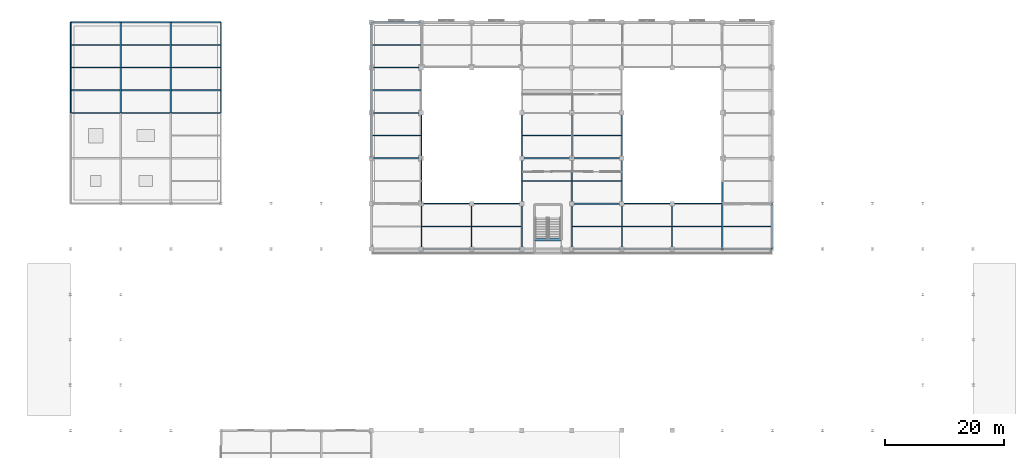
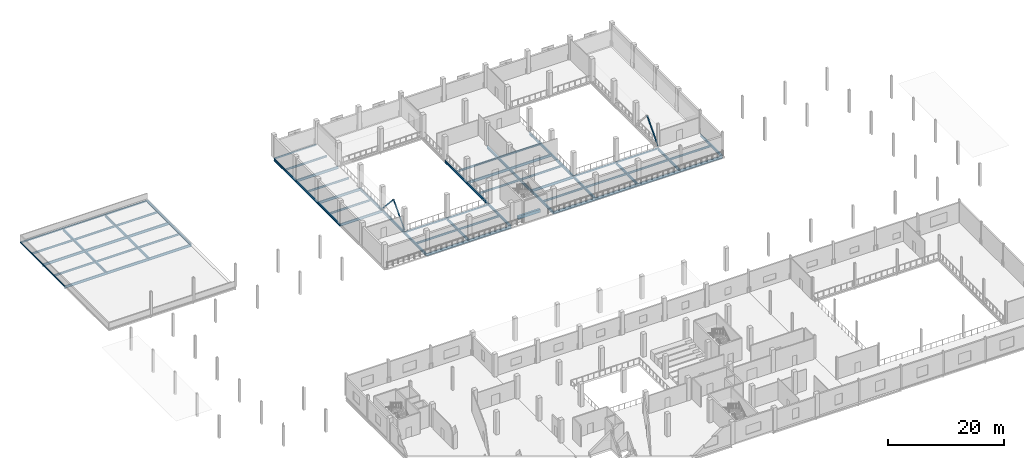
# One storey, part 18 of 51: 73 beams, 3 members.
"""IFC4 building model written with IfcOpenShell, lengths in metres."""

from ifc_helpers import new_model, si_unit, direction, frame, origin, origin_2d, place, context, subcontext, project, spatial, rectangle, hollow_rectangle, i_section, extrude, material, material_profile, profile_set, type_object, element, save


model = new_model("IFC4")

# Units and contexts
model_context = context("Model", 3, precision=1e-05, world=origin(), true_north=direction((0.0, 1.0)))
body_context = subcontext(model_context, "Body", "Model", "MODEL_VIEW")
ifc_project = project(units=[si_unit("LENGTHUNIT", "METRE"), si_unit("AREAUNIT", "SQUARE_METRE"), si_unit("VOLUMEUNIT", "CUBIC_METRE"), si_unit("PLANEANGLEUNIT", "RADIAN"), si_unit("MASSUNIT", "GRAM", prefix="KILO")], contexts=[model_context])

# Site, building, storey
site_placement = place(None, origin())
site = spatial("IfcSite", under=ifc_project, at=site_placement, CompositionType="ELEMENT")
building_placement = place(site_placement, origin())
building = spatial("IfcBuilding", under=site, at=building_placement, Name="Zuvorla Pavilion Media Centre", CompositionType="ELEMENT")
storey_placement = place(building_placement, frame((0.0, 0.0, 4.800048828125)))
storey = spatial("IfcBuildingStorey", under=building, at=storey_placement, Name="L01", CompositionType="ELEMENT", Elevation=4.800048828125)

# Beams
ifc_material_1 = material(Name="Concrete C40/50", Category="concrete")
ifc_material_profile_1 = material_profile(ifc_material_1, rectangle(XDim=0.39990234375, YDim=0.64990234375, at=origin_2d()), Name="RC 400x650")
ifc_profile_set_1 = profile_set([ifc_material_profile_1], Name="Concrete C40/50")
beam_type_1 = type_object("IfcBeamType", Name="BM-RC-650", PredefinedType="BEAM", material=ifc_profile_set_1)
beam_1_placement = place(storey_placement, frame((94.179931640625, 83.570068359375, -0.323974609375), z_axis=(1.0, 0.0, 0.0), x_axis=(0.0, 1.0, 0.0)))
element("IfcBeam", 1, at=beam_1_placement, inside=storey, type_object=beam_type_1, Name="L01 ST-05 landing trimmer beam", PredefinedType="BEAM", context=body_context, shape_type="SweptSolid", body=[
    extrude(rectangle(XDim=0.39990234375, YDim=0.64990234375, at=origin_2d()), origin(), (0.0, 0.0, 1.0), 4.440185546875),
])
ifc_material_2 = material(Name="Steel S355", Category="steel")
ifc_material_profile_2 = material_profile(ifc_material_2, hollow_rectangle(XDim=0.14990234375, YDim=0.25, WallThickness=0.010009765625, at=origin_2d()), Name="RHS 250x150x10")
ifc_profile_set_2 = profile_set([ifc_material_profile_2], Name="Steel S355")
beam_type_2 = type_object("IfcBeamType", Name="BM-SP-RHS250", PredefinedType="SPANDREL", material=ifc_profile_set_2)
beam_2_placement = place(storey_placement, frame((16.39990234375, 104.800048828125, -0.4130859375), z_axis=(0.0, 1.0, 0.0), x_axis=(-1.0, 0.0, 0.0)))
element("IfcBeam", 2, at=beam_2_placement, inside=storey, type_object=beam_type_2, Name="L01 spandrel SP02 575", PredefinedType="SPANDREL", context=body_context, shape_type="SweptSolid", body=[
    extrude(hollow_rectangle(XDim=0.14990234375, YDim=0.25, WallThickness=0.010009765625, at=origin_2d()), origin(), (0.0, 0.0, 1.0), 7.599853515625),
])
beam_3_placement = place(storey_placement, frame((16.39990234375, 112.39990234375, -0.4130859375), z_axis=(0.0, 1.0, 0.0), x_axis=(-1.0, 0.0, 0.0)))
element("IfcBeam", 3, at=beam_3_placement, inside=storey, type_object=beam_type_2, Name="L01 spandrel SP02 576", PredefinedType="SPANDREL", context=body_context, shape_type="SweptSolid", body=[
    extrude(hollow_rectangle(XDim=0.14990234375, YDim=0.25, WallThickness=0.010009765625, at=origin_2d()), origin(), (0.0, 0.0, 1.0), 7.60009765625),
])
ifc_material_profile_3 = material_profile(ifc_material_2, hollow_rectangle(XDim=0.199951171875, YDim=0.300048828125, WallThickness=0.012451171875, at=origin_2d()), Name="RHS 300x200x12.5")
ifc_profile_set_3 = profile_set([ifc_material_profile_3], Name="Steel S355")
beam_type_3 = type_object("IfcBeamType", Name="BM-SP-RHS300", PredefinedType="SPANDREL", material=ifc_profile_set_3)
beam_4_placement = place(storey_placement, frame((75.199951171875, 89.60009765625, -0.43798828125), z_axis=(1.0, 0.0, 0.0), x_axis=(0.0, 1.0, 0.0)))
element("IfcBeam", 4, at=beam_4_placement, inside=storey, type_object=beam_type_3, Name="L01 spandrel SP01 527", PredefinedType="SPANDREL", context=body_context, shape_type="SweptSolid", body=[
    extrude(hollow_rectangle(XDim=0.199951171875, YDim=0.300048828125, WallThickness=0.012451171875, at=origin_2d()), origin(), (0.0, 0.0, 1.0), 8.400146484375),
])
for number, where, z_axis, x_axis, name in (
    (5, (83.60009765625, 89.60009765625, -0.43798828125), (1.0, 0.0, 0.0), (0.0, 1.0, 0.0), "L01 spandrel SP01 528"),
    (6, (108.800048828125, 89.60009765625, -0.43798828125), (1.0, 0.0, 0.0), (0.0, 1.0, 0.0), "L01 spandrel SP01 530"),
):
    element("IfcBeam", number, at=place(storey_placement, frame(where, z_axis=z_axis, x_axis=x_axis)), inside=storey, type_object=beam_type_3, Name=name, PredefinedType="SPANDREL", context=body_context, shape_type="SweptSolid", body=[
        extrude(hollow_rectangle(XDim=0.199951171875, YDim=0.300048828125, WallThickness=0.012451171875, at=origin_2d()), origin(), (0.0, 0.0, 1.0), 8.39990234375),
    ])
for number, where, z_axis, x_axis, name in (
    (7, (117.199951171875, 89.60009765625, -0.43798828125), (1.0, 0.0, 0.0), (0.0, 1.0, 0.0), "L01 spandrel SP01 531"),
    (8, (16.39990234375, 120.0, -0.43798828125), (1.0, 0.0, 0.0), (0.0, 1.0, 0.0), "L01 spandrel SP01 558"),
):
    element("IfcBeam", number, at=place(storey_placement, frame(where, z_axis=z_axis, x_axis=x_axis)), inside=storey, type_object=beam_type_3, Name=name, PredefinedType="SPANDREL", context=body_context, shape_type="SweptSolid", body=[
        extrude(hollow_rectangle(XDim=0.199951171875, YDim=0.300048828125, WallThickness=0.012451171875, at=origin_2d()), origin(), (0.0, 0.0, 1.0), 8.400146484375),
    ])
beam_5_placement = place(storey_placement, frame((24.800048828125, 120.0, -0.43798828125), z_axis=(1.0, 0.0, 0.0), x_axis=(0.0, 1.0, 0.0)))
element("IfcBeam", 9, at=beam_5_placement, inside=storey, type_object=beam_type_3, Name="L01 spandrel SP01 559", PredefinedType="SPANDREL", context=body_context, shape_type="SweptSolid", body=[
    extrude(hollow_rectangle(XDim=0.199951171875, YDim=0.300048828125, WallThickness=0.012451171875, at=origin_2d()), origin(), (0.0, 0.0, 1.0), 8.39990234375),
])
beam_6_placement = place(storey_placement, frame((33.199951171875, 120.0, -0.43798828125), z_axis=(1.0, 0.0, 0.0), x_axis=(0.0, 1.0, 0.0)))
element("IfcBeam", 10, at=beam_6_placement, inside=storey, type_object=beam_type_3, Name="L01 spandrel SP01 560", PredefinedType="SPANDREL", context=body_context, shape_type="SweptSolid", body=[
    extrude(hollow_rectangle(XDim=0.199951171875, YDim=0.300048828125, WallThickness=0.012451171875, at=origin_2d()), origin(), (0.0, 0.0, 1.0), 8.400146484375),
])
beam_7_placement = place(storey_placement, frame((66.800048828125, 120.0, -0.43798828125), z_axis=(1.0, 0.0, 0.0), x_axis=(0.0, 1.0, 0.0)))
element("IfcBeam", 11, at=beam_7_placement, inside=storey, type_object=beam_type_3, Name="L01 spandrel SP01 561", PredefinedType="SPANDREL", context=body_context, shape_type="SweptSolid", body=[
    extrude(hollow_rectangle(XDim=0.199951171875, YDim=0.300048828125, WallThickness=0.012451171875, at=origin_2d()), origin(), (0.0, 0.0, 1.0), 8.39990234375),
])
ifc_material_profile_4 = material_profile(ifc_material_2, i_section(OverallWidth=0.1787109375, OverallDepth=0.409423828125, WebThickness=0.0087890625, FlangeThickness=0.014404296875, FilletRadius=0.01025390625, at=origin_2d()), Name="UB 406x178x67")
ifc_profile_set_4 = profile_set([ifc_material_profile_4], Name="Steel S355")
beam_type_4 = type_object("IfcBeamType", Name="BM-UB406", PredefinedType="JOIST", material=ifc_profile_set_4)
for number, where, z_axis, x_axis, name in (
    (12, (16.47998046875, 108.60009765625, -0.49267578125), (1.0, 0.0, 0.0), (0.0, 1.0, 0.0), "L01 joist J02 703"),
    (13, (16.47998046875, 116.199951171875, -0.49267578125), (1.0, 0.0, 0.0), (0.0, 1.0, 0.0), "L01 joist J02 704"),
):
    element("IfcBeam", number, at=place(storey_placement, frame(where, z_axis=z_axis, x_axis=x_axis)), inside=storey, type_object=beam_type_4, Name=name, PredefinedType="JOIST", context=body_context, shape_type="SweptSolid", body=[
        extrude(i_section(OverallWidth=0.1787109375, OverallDepth=0.409423828125, WebThickness=0.0087890625, FlangeThickness=0.014404296875, FilletRadius=0.01025390625, at=origin_2d()), origin(), (0.0, 0.0, 1.0), 8.219970703125),
    ])
for number, where, z_axis, x_axis, name in (
    (14, (24.89990234375, 108.60009765625, -0.49267578125), (1.0, 0.0, 0.0), (0.0, 1.0, 0.0), "L01 joist J02 705"),
    (15, (24.89990234375, 116.199951171875, -0.49267578125), (1.0, 0.0, 0.0), (0.0, 1.0, 0.0), "L01 joist J02 706"),
):
    element("IfcBeam", number, at=place(storey_placement, frame(where, z_axis=z_axis, x_axis=x_axis)), inside=storey, type_object=beam_type_4, Name=name, PredefinedType="JOIST", context=body_context, shape_type="SweptSolid", body=[
        extrude(i_section(OverallWidth=0.1787109375, OverallDepth=0.409423828125, WebThickness=0.0087890625, FlangeThickness=0.014404296875, FilletRadius=0.01025390625, at=origin_2d()), origin(), (0.0, 0.0, 1.0), 8.2001953125),
    ])
for number, where, z_axis, x_axis, name in (
    (16, (33.300048828125, 108.60009765625, -0.49267578125), (1.0, 0.0, 0.0), (0.0, 1.0, 0.0), "L01 joist J02 710"),
    (17, (33.300048828125, 116.199951171875, -0.49267578125), (1.0, 0.0, 0.0), (0.0, 1.0, 0.0), "L01 joist J02 711"),
):
    element("IfcBeam", number, at=place(storey_placement, frame(where, z_axis=z_axis, x_axis=x_axis)), inside=storey, type_object=beam_type_4, Name=name, PredefinedType="JOIST", context=body_context, shape_type="SweptSolid", body=[
        extrude(i_section(OverallWidth=0.1787109375, OverallDepth=0.409423828125, WebThickness=0.0087890625, FlangeThickness=0.014404296875, FilletRadius=0.01025390625, at=origin_2d()), origin(), (0.0, 0.0, 1.0), 8.199951171875),
    ])
for number, where, z_axis, x_axis, name in (
    (18, (66.89990234375, 101.0, -0.49267578125), (1.0, 0.0, 0.0), (0.0, 1.0, 0.0), "L01 joist J02 729"),
    (19, (66.89990234375, 108.60009765625, -0.49267578125), (1.0, 0.0, 0.0), (0.0, 1.0, 0.0), "L01 joist J02 730"),
    (20, (66.89990234375, 116.199951171875, -0.49267578125), (1.0, 0.0, 0.0), (0.0, 1.0, 0.0), "L01 joist J02 731"),
):
    element("IfcBeam", number, at=place(storey_placement, frame(where, z_axis=z_axis, x_axis=x_axis)), inside=storey, type_object=beam_type_4, Name=name, PredefinedType="JOIST", context=body_context, shape_type="SweptSolid", body=[
        extrude(i_section(OverallWidth=0.1787109375, OverallDepth=0.409423828125, WebThickness=0.0087890625, FlangeThickness=0.014404296875, FilletRadius=0.01025390625, at=origin_2d()), origin(), (0.0, 0.0, 1.0), 8.2001953125),
    ])
for number, where, z_axis, x_axis, name in (
    (21, (75.300048828125, 85.800048828125, -0.49267578125), (1.0, 0.0, 0.0), (0.0, 1.0, 0.0), "L01 joist J02 733"),
    (22, (83.699951171875, 85.800048828125, -0.49267578125), (1.0, 0.0, 0.0), (0.0, 1.0, 0.0), "L01 joist J02 738"),
    (23, (92.10009765625, 93.39990234375, -0.49267578125), (1.0, 0.0, 0.0), (0.0, 1.0, 0.0), "L01 joist J02 743"),
    (24, (92.10009765625, 101.0, -0.49267578125), (1.0, 0.0, 0.0), (0.0, 1.0, 0.0), "L01 joist J02 744"),
    (25, (100.5, 85.800048828125, -0.49267578125), (1.0, 0.0, 0.0), (0.0, 1.0, 0.0), "L01 joist J02 751"),
    (26, (100.5, 93.39990234375, -0.49267578125), (1.0, 0.0, 0.0), (0.0, 1.0, 0.0), "L01 joist J02 752"),
    (27, (100.5, 101.0, -0.49267578125), (1.0, 0.0, 0.0), (0.0, 1.0, 0.0), "L01 joist J02 753"),
):
    element("IfcBeam", number, at=place(storey_placement, frame(where, z_axis=z_axis, x_axis=x_axis)), inside=storey, type_object=beam_type_4, Name=name, PredefinedType="JOIST", context=body_context, shape_type="SweptSolid", body=[
        extrude(i_section(OverallWidth=0.1787109375, OverallDepth=0.409423828125, WebThickness=0.0087890625, FlangeThickness=0.014404296875, FilletRadius=0.01025390625, at=origin_2d()), origin(), (0.0, 0.0, 1.0), 8.199951171875),
    ])
beam_8_placement = place(storey_placement, frame((108.89990234375, 85.800048828125, -0.49267578125), z_axis=(1.0, 0.0, 0.0), x_axis=(0.0, 1.0, 0.0)))
element("IfcBeam", 28, at=beam_8_placement, inside=storey, type_object=beam_type_4, Name="L01 joist J02 761", PredefinedType="JOIST", context=body_context, shape_type="SweptSolid", body=[
    extrude(i_section(OverallWidth=0.1787109375, OverallDepth=0.409423828125, WebThickness=0.0087890625, FlangeThickness=0.014404296875, FilletRadius=0.01025390625, at=origin_2d()), origin(), (0.0, 0.0, 1.0), 8.2001953125),
])
for number, where, z_axis, x_axis, name in (
    (29, (117.300048828125, 85.800048828125, -0.49267578125), (1.0, 0.0, 0.0), (0.0, 1.0, 0.0), "L01 joist J02 768"),
    (30, (125.699951171875, 85.800048828125, -0.49267578125), (1.0, 0.0, 0.0), (0.0, 1.0, 0.0), "L01 joist J02 772"),
):
    element("IfcBeam", number, at=place(storey_placement, frame(where, z_axis=z_axis, x_axis=x_axis)), inside=storey, type_object=beam_type_4, Name=name, PredefinedType="JOIST", context=body_context, shape_type="SweptSolid", body=[
        extrude(i_section(OverallWidth=0.1787109375, OverallDepth=0.409423828125, WebThickness=0.0087890625, FlangeThickness=0.014404296875, FilletRadius=0.01025390625, at=origin_2d()), origin(), (0.0, 0.0, 1.0), 8.199951171875),
    ])
ifc_material_profile_5 = material_profile(ifc_material_2, i_section(OverallWidth=0.2099609375, OverallDepth=0.53662109375, WebThickness=0.0107421875, FlangeThickness=0.017333984375, FilletRadius=0.0126953125, at=origin_2d()), Name="UB 533x210x101")
ifc_profile_set_5 = profile_set([ifc_material_profile_5], Name="Steel S355")
beam_type_5 = type_object("IfcBeamType", Name="BM-UB533", PredefinedType="BEAM", material=ifc_profile_set_5)
beam_9_placement = place(storey_placement, frame((75.199951171875, 82.0, -0.556396484375), z_axis=(1.0, 0.0, 0.0), x_axis=(0.0, 1.0, 0.0)))
element("IfcBeam", 31, at=beam_9_placement, inside=storey, type_object=beam_type_5, Name="L01 beam B08 517", PredefinedType="BEAM", context=body_context, shape_type="SweptSolid", body=[
    extrude(i_section(OverallWidth=0.2099609375, OverallDepth=0.53662109375, WebThickness=0.0107421875, FlangeThickness=0.017333984375, FilletRadius=0.0126953125, at=origin_2d()), origin(), (0.0, 0.0, 1.0), 8.400146484375),
])
beam_10_placement = place(storey_placement, frame((83.60009765625, 82.0, -0.556396484375), z_axis=(1.0, 0.0, 0.0), x_axis=(0.0, 1.0, 0.0)))
element("IfcBeam", 32, at=beam_10_placement, inside=storey, type_object=beam_type_5, Name="L01 beam B08 518", PredefinedType="BEAM", context=body_context, shape_type="SweptSolid", body=[
    extrude(i_section(OverallWidth=0.2099609375, OverallDepth=0.53662109375, WebThickness=0.0107421875, FlangeThickness=0.017333984375, FilletRadius=0.0126953125, at=origin_2d()), origin(), (0.0, 0.0, 1.0), 8.39990234375),
])
beam_11_placement = place(storey_placement, frame((100.39990234375, 82.0, -0.556396484375), z_axis=(1.0, 0.0, 0.0), x_axis=(0.0, 1.0, 0.0)))
element("IfcBeam", 33, at=beam_11_placement, inside=storey, type_object=beam_type_5, Name="L01 beam B08 519", PredefinedType="BEAM", context=body_context, shape_type="SweptSolid", body=[
    extrude(i_section(OverallWidth=0.2099609375, OverallDepth=0.53662109375, WebThickness=0.0107421875, FlangeThickness=0.017333984375, FilletRadius=0.0126953125, at=origin_2d()), origin(), (0.0, 0.0, 1.0), 8.400146484375),
])
beam_12_placement = place(storey_placement, frame((108.800048828125, 82.0, -0.556396484375), z_axis=(1.0, 0.0, 0.0), x_axis=(0.0, 1.0, 0.0)))
element("IfcBeam", 34, at=beam_12_placement, inside=storey, type_object=beam_type_5, Name="L01 beam B08 520", PredefinedType="BEAM", context=body_context, shape_type="SweptSolid", body=[
    extrude(i_section(OverallWidth=0.2099609375, OverallDepth=0.53662109375, WebThickness=0.0107421875, FlangeThickness=0.017333984375, FilletRadius=0.0126953125, at=origin_2d()), origin(), (0.0, 0.0, 1.0), 8.39990234375),
])
beam_13_placement = place(storey_placement, frame((117.199951171875, 82.0, -0.556396484375), z_axis=(1.0, 0.0, 0.0), x_axis=(0.0, 1.0, 0.0)))
element("IfcBeam", 35, at=beam_13_placement, inside=storey, type_object=beam_type_5, Name="L01 beam B08 521", PredefinedType="BEAM", context=body_context, shape_type="SweptSolid", body=[
    extrude(i_section(OverallWidth=0.2099609375, OverallDepth=0.53662109375, WebThickness=0.0107421875, FlangeThickness=0.017333984375, FilletRadius=0.0126953125, at=origin_2d()), origin(), (0.0, 0.0, 1.0), 8.400146484375),
])
beam_14_placement = place(storey_placement, frame((125.60009765625, 82.0, -0.556396484375), z_axis=(1.0, 0.0, 0.0), x_axis=(0.0, 1.0, 0.0)))
element("IfcBeam", 36, at=beam_14_placement, inside=storey, type_object=beam_type_5, Name="L01 beam B08 522", PredefinedType="BEAM", context=body_context, shape_type="SweptSolid", body=[
    extrude(i_section(OverallWidth=0.2099609375, OverallDepth=0.53662109375, WebThickness=0.0107421875, FlangeThickness=0.017333984375, FilletRadius=0.0126953125, at=origin_2d()), origin(), (0.0, 0.0, 1.0), 8.39990234375),
])
beam_15_placement = place(storey_placement, frame((100.39990234375, 89.60009765625, -0.556396484375), z_axis=(1.0, 0.0, 0.0), x_axis=(0.0, 1.0, 0.0)))
element("IfcBeam", 37, at=beam_15_placement, inside=storey, type_object=beam_type_5, Name="L01 beam B08 529", PredefinedType="BEAM", context=body_context, shape_type="SweptSolid", body=[
    extrude(i_section(OverallWidth=0.2099609375, OverallDepth=0.53662109375, WebThickness=0.0107421875, FlangeThickness=0.017333984375, FilletRadius=0.0126953125, at=origin_2d()), origin(), (0.0, 0.0, 1.0), 8.400146484375),
])
for number, where, z_axis, x_axis, name in (
    (38, (66.800048828125, 97.199951171875, -0.556396484375), (1.0, 0.0, 0.0), (0.0, 1.0, 0.0), "L01 beam B08 536"),
    (39, (92.0, 97.199951171875, -0.556396484375), (1.0, 0.0, 0.0), (0.0, 1.0, 0.0), "L01 beam B08 537"),
):
    element("IfcBeam", number, at=place(storey_placement, frame(where, z_axis=z_axis, x_axis=x_axis)), inside=storey, type_object=beam_type_5, Name=name, PredefinedType="BEAM", context=body_context, shape_type="SweptSolid", body=[
        extrude(i_section(OverallWidth=0.2099609375, OverallDepth=0.53662109375, WebThickness=0.0107421875, FlangeThickness=0.017333984375, FilletRadius=0.0126953125, at=origin_2d()), origin(), (0.0, 0.0, 1.0), 8.39990234375),
    ])
for number, where, z_axis, x_axis, name in (
    (40, (100.39990234375, 97.199951171875, -0.556396484375), (1.0, 0.0, 0.0), (0.0, 1.0, 0.0), "L01 beam B08 538"),
    (41, (16.39990234375, 104.800048828125, -0.556396484375), (1.0, 0.0, 0.0), (0.0, 1.0, 0.0), "L01 beam B08 540"),
):
    element("IfcBeam", number, at=place(storey_placement, frame(where, z_axis=z_axis, x_axis=x_axis)), inside=storey, type_object=beam_type_5, Name=name, PredefinedType="BEAM", context=body_context, shape_type="SweptSolid", body=[
        extrude(i_section(OverallWidth=0.2099609375, OverallDepth=0.53662109375, WebThickness=0.0107421875, FlangeThickness=0.017333984375, FilletRadius=0.0126953125, at=origin_2d()), origin(), (0.0, 0.0, 1.0), 8.400146484375),
    ])
beam_16_placement = place(storey_placement, frame((24.800048828125, 104.800048828125, -0.556396484375), z_axis=(1.0, 0.0, 0.0), x_axis=(0.0, 1.0, 0.0)))
element("IfcBeam", 42, at=beam_16_placement, inside=storey, type_object=beam_type_5, Name="L01 beam B08 541", PredefinedType="BEAM", context=body_context, shape_type="SweptSolid", body=[
    extrude(i_section(OverallWidth=0.2099609375, OverallDepth=0.53662109375, WebThickness=0.0107421875, FlangeThickness=0.017333984375, FilletRadius=0.0126953125, at=origin_2d()), origin(), (0.0, 0.0, 1.0), 8.39990234375),
])
beam_17_placement = place(storey_placement, frame((33.199951171875, 104.800048828125, -0.556396484375), z_axis=(1.0, 0.0, 0.0), x_axis=(0.0, 1.0, 0.0)))
element("IfcBeam", 43, at=beam_17_placement, inside=storey, type_object=beam_type_5, Name="L01 beam B08 542", PredefinedType="BEAM", context=body_context, shape_type="SweptSolid", body=[
    extrude(i_section(OverallWidth=0.2099609375, OverallDepth=0.53662109375, WebThickness=0.0107421875, FlangeThickness=0.017333984375, FilletRadius=0.0126953125, at=origin_2d()), origin(), (0.0, 0.0, 1.0), 8.400146484375),
])
beam_18_placement = place(storey_placement, frame((66.800048828125, 104.800048828125, -0.556396484375), z_axis=(1.0, 0.0, 0.0), x_axis=(0.0, 1.0, 0.0)))
element("IfcBeam", 44, at=beam_18_placement, inside=storey, type_object=beam_type_5, Name="L01 beam B08 543", PredefinedType="BEAM", context=body_context, shape_type="SweptSolid", body=[
    extrude(i_section(OverallWidth=0.2099609375, OverallDepth=0.53662109375, WebThickness=0.0107421875, FlangeThickness=0.017333984375, FilletRadius=0.0126953125, at=origin_2d()), origin(), (0.0, 0.0, 1.0), 8.39990234375),
])
beam_19_placement = place(storey_placement, frame((16.39990234375, 112.39990234375, -0.556396484375), z_axis=(1.0, 0.0, 0.0), x_axis=(0.0, 1.0, 0.0)))
element("IfcBeam", 45, at=beam_19_placement, inside=storey, type_object=beam_type_5, Name="L01 beam B08 547", PredefinedType="BEAM", context=body_context, shape_type="SweptSolid", body=[
    extrude(i_section(OverallWidth=0.2099609375, OverallDepth=0.53662109375, WebThickness=0.0107421875, FlangeThickness=0.017333984375, FilletRadius=0.0126953125, at=origin_2d()), origin(), (0.0, 0.0, 1.0), 8.400146484375),
])
beam_20_placement = place(storey_placement, frame((24.800048828125, 112.39990234375, -0.556396484375), z_axis=(1.0, 0.0, 0.0), x_axis=(0.0, 1.0, 0.0)))
element("IfcBeam", 46, at=beam_20_placement, inside=storey, type_object=beam_type_5, Name="L01 beam B08 548", PredefinedType="BEAM", context=body_context, shape_type="SweptSolid", body=[
    extrude(i_section(OverallWidth=0.2099609375, OverallDepth=0.53662109375, WebThickness=0.0107421875, FlangeThickness=0.017333984375, FilletRadius=0.0126953125, at=origin_2d()), origin(), (0.0, 0.0, 1.0), 8.39990234375),
])
beam_21_placement = place(storey_placement, frame((33.199951171875, 112.39990234375, -0.556396484375), z_axis=(1.0, 0.0, 0.0), x_axis=(0.0, 1.0, 0.0)))
element("IfcBeam", 47, at=beam_21_placement, inside=storey, type_object=beam_type_5, Name="L01 beam B08 549", PredefinedType="BEAM", context=body_context, shape_type="SweptSolid", body=[
    extrude(i_section(OverallWidth=0.2099609375, OverallDepth=0.53662109375, WebThickness=0.0107421875, FlangeThickness=0.017333984375, FilletRadius=0.0126953125, at=origin_2d()), origin(), (0.0, 0.0, 1.0), 8.400146484375),
])
beam_22_placement = place(storey_placement, frame((66.800048828125, 112.39990234375, -0.556396484375), z_axis=(1.0, 0.0, 0.0), x_axis=(0.0, 1.0, 0.0)))
element("IfcBeam", 48, at=beam_22_placement, inside=storey, type_object=beam_type_5, Name="L01 beam B08 550", PredefinedType="BEAM", context=body_context, shape_type="SweptSolid", body=[
    extrude(i_section(OverallWidth=0.2099609375, OverallDepth=0.53662109375, WebThickness=0.0107421875, FlangeThickness=0.017333984375, FilletRadius=0.0126953125, at=origin_2d()), origin(), (0.0, 0.0, 1.0), 8.39990234375),
])
beam_23_placement = place(storey_placement, frame((24.800048828125, 104.800048828125, -0.556396484375), z_axis=(0.0, 1.0, 0.0), x_axis=(-1.0, 0.0, 0.0)))
element("IfcBeam", 49, at=beam_23_placement, inside=storey, type_object=beam_type_5, Name="L01 beam B08 579", PredefinedType="BEAM", context=body_context, shape_type="SweptSolid", body=[
    extrude(i_section(OverallWidth=0.2099609375, OverallDepth=0.53662109375, WebThickness=0.0107421875, FlangeThickness=0.017333984375, FilletRadius=0.0126953125, at=origin_2d()), origin(), (0.0, 0.0, 1.0), 7.599853515625),
])
beam_24_placement = place(storey_placement, frame((24.800048828125, 112.39990234375, -0.556396484375), z_axis=(0.0, 1.0, 0.0), x_axis=(-1.0, 0.0, 0.0)))
element("IfcBeam", 50, at=beam_24_placement, inside=storey, type_object=beam_type_5, Name="L01 beam B08 580", PredefinedType="BEAM", context=body_context, shape_type="SweptSolid", body=[
    extrude(i_section(OverallWidth=0.2099609375, OverallDepth=0.53662109375, WebThickness=0.0107421875, FlangeThickness=0.017333984375, FilletRadius=0.0126953125, at=origin_2d()), origin(), (0.0, 0.0, 1.0), 7.60009765625),
])
beam_25_placement = place(storey_placement, frame((33.199951171875, 104.800048828125, -0.556396484375), z_axis=(0.0, 1.0, 0.0), x_axis=(-1.0, 0.0, 0.0)))
element("IfcBeam", 51, at=beam_25_placement, inside=storey, type_object=beam_type_5, Name="L01 beam B08 586", PredefinedType="BEAM", context=body_context, shape_type="SweptSolid", body=[
    extrude(i_section(OverallWidth=0.2099609375, OverallDepth=0.53662109375, WebThickness=0.0107421875, FlangeThickness=0.017333984375, FilletRadius=0.0126953125, at=origin_2d()), origin(), (0.0, 0.0, 1.0), 7.599853515625),
])
beam_26_placement = place(storey_placement, frame((33.199951171875, 112.39990234375, -0.556396484375), z_axis=(0.0, 1.0, 0.0), x_axis=(-1.0, 0.0, 0.0)))
element("IfcBeam", 52, at=beam_26_placement, inside=storey, type_object=beam_type_5, Name="L01 beam B08 587", PredefinedType="BEAM", context=body_context, shape_type="SweptSolid", body=[
    extrude(i_section(OverallWidth=0.2099609375, OverallDepth=0.53662109375, WebThickness=0.0107421875, FlangeThickness=0.017333984375, FilletRadius=0.0126953125, at=origin_2d()), origin(), (0.0, 0.0, 1.0), 7.60009765625),
])
beam_27_placement = place(storey_placement, frame((41.60009765625, 104.800048828125, -0.556396484375), z_axis=(0.0, 1.0, 0.0), x_axis=(-1.0, 0.0, 0.0)))
element("IfcBeam", 53, at=beam_27_placement, inside=storey, type_object=beam_type_5, Name="L01 beam B08 596", PredefinedType="BEAM", context=body_context, shape_type="SweptSolid", body=[
    extrude(i_section(OverallWidth=0.2099609375, OverallDepth=0.53662109375, WebThickness=0.0107421875, FlangeThickness=0.017333984375, FilletRadius=0.0126953125, at=origin_2d()), origin(), (0.0, 0.0, 1.0), 7.599853515625),
])
for number, where, z_axis, x_axis, name in (
    (54, (41.60009765625, 112.39990234375, -0.556396484375), (0.0, 1.0, 0.0), (-1.0, 0.0, 0.0), "L01 beam B08 597"),
    (55, (66.800048828125, 97.199951171875, -0.556396484375), (0.0, 1.0, 0.0), (-1.0, 0.0, 0.0), "L01 beam B08 616"),
):
    element("IfcBeam", number, at=place(storey_placement, frame(where, z_axis=z_axis, x_axis=x_axis)), inside=storey, type_object=beam_type_5, Name=name, PredefinedType="BEAM", context=body_context, shape_type="SweptSolid", body=[
        extrude(i_section(OverallWidth=0.2099609375, OverallDepth=0.53662109375, WebThickness=0.0107421875, FlangeThickness=0.017333984375, FilletRadius=0.0126953125, at=origin_2d()), origin(), (0.0, 0.0, 1.0), 7.60009765625),
    ])
beam_28_placement = place(storey_placement, frame((66.800048828125, 104.800048828125, -0.556396484375), z_axis=(0.0, 1.0, 0.0), x_axis=(-1.0, 0.0, 0.0)))
element("IfcBeam", 56, at=beam_28_placement, inside=storey, type_object=beam_type_5, Name="L01 beam B08 617", PredefinedType="BEAM", context=body_context, shape_type="SweptSolid", body=[
    extrude(i_section(OverallWidth=0.2099609375, OverallDepth=0.53662109375, WebThickness=0.0107421875, FlangeThickness=0.017333984375, FilletRadius=0.0126953125, at=origin_2d()), origin(), (0.0, 0.0, 1.0), 7.599853515625),
])
for number, where, z_axis, x_axis, name in (
    (57, (66.800048828125, 112.39990234375, -0.556396484375), (0.0, 1.0, 0.0), (-1.0, 0.0, 0.0), "L01 beam B08 618"),
    (58, (75.199951171875, 82.0, -0.556396484375), (0.0, 1.0, 0.0), (-1.0, 0.0, 0.0), "L01 beam B08 621"),
):
    element("IfcBeam", number, at=place(storey_placement, frame(where, z_axis=z_axis, x_axis=x_axis)), inside=storey, type_object=beam_type_5, Name=name, PredefinedType="BEAM", context=body_context, shape_type="SweptSolid", body=[
        extrude(i_section(OverallWidth=0.2099609375, OverallDepth=0.53662109375, WebThickness=0.0107421875, FlangeThickness=0.017333984375, FilletRadius=0.0126953125, at=origin_2d()), origin(), (0.0, 0.0, 1.0), 7.60009765625),
    ])
beam_29_placement = place(storey_placement, frame((75.199951171875, 89.60009765625, -0.556396484375), z_axis=(0.0, 1.0, 0.0), x_axis=(-1.0, 0.0, 0.0)))
element("IfcBeam", 59, at=beam_29_placement, inside=storey, type_object=beam_type_5, Name="L01 beam B08 622", PredefinedType="BEAM", context=body_context, shape_type="SweptSolid", body=[
    extrude(i_section(OverallWidth=0.2099609375, OverallDepth=0.53662109375, WebThickness=0.0107421875, FlangeThickness=0.017333984375, FilletRadius=0.0126953125, at=origin_2d()), origin(), (0.0, 0.0, 1.0), 7.599853515625),
])
for number, where, z_axis, x_axis, name in (
    (60, (75.199951171875, 97.199951171875, -0.556396484375), (0.0, 1.0, 0.0), (-1.0, 0.0, 0.0), "L01 beam B08 623"),
    (61, (83.60009765625, 82.0, -0.556396484375), (0.0, 1.0, 0.0), (-1.0, 0.0, 0.0), "L01 beam B08 629"),
    (62, (92.0, 82.0, -0.556396484375), (0.0, 1.0, 0.0), (-1.0, 0.0, 0.0), "L01 beam B08 636"),
):
    element("IfcBeam", number, at=place(storey_placement, frame(where, z_axis=z_axis, x_axis=x_axis)), inside=storey, type_object=beam_type_5, Name=name, PredefinedType="BEAM", context=body_context, shape_type="SweptSolid", body=[
        extrude(i_section(OverallWidth=0.2099609375, OverallDepth=0.53662109375, WebThickness=0.0107421875, FlangeThickness=0.017333984375, FilletRadius=0.0126953125, at=origin_2d()), origin(), (0.0, 0.0, 1.0), 7.60009765625),
    ])
beam_30_placement = place(storey_placement, frame((92.0, 89.60009765625, -0.556396484375), z_axis=(0.0, 1.0, 0.0), x_axis=(-1.0, 0.0, 0.0)))
element("IfcBeam", 63, at=beam_30_placement, inside=storey, type_object=beam_type_5, Name="L01 beam B08 637", PredefinedType="BEAM", context=body_context, shape_type="SweptSolid", body=[
    extrude(i_section(OverallWidth=0.2099609375, OverallDepth=0.53662109375, WebThickness=0.0107421875, FlangeThickness=0.017333984375, FilletRadius=0.0126953125, at=origin_2d()), origin(), (0.0, 0.0, 1.0), 7.599853515625),
])
for number, where, z_axis, x_axis, name in (
    (64, (92.0, 97.199951171875, -0.556396484375), (0.0, 1.0, 0.0), (-1.0, 0.0, 0.0), "L01 beam B08 638"),
    (65, (100.39990234375, 82.0, -0.556396484375), (0.0, 1.0, 0.0), (-1.0, 0.0, 0.0), "L01 beam B08 646"),
):
    element("IfcBeam", number, at=place(storey_placement, frame(where, z_axis=z_axis, x_axis=x_axis)), inside=storey, type_object=beam_type_5, Name=name, PredefinedType="BEAM", context=body_context, shape_type="SweptSolid", body=[
        extrude(i_section(OverallWidth=0.2099609375, OverallDepth=0.53662109375, WebThickness=0.0107421875, FlangeThickness=0.017333984375, FilletRadius=0.0126953125, at=origin_2d()), origin(), (0.0, 0.0, 1.0), 7.60009765625),
    ])
beam_31_placement = place(storey_placement, frame((100.39990234375, 89.60009765625, -0.556396484375), z_axis=(0.0, 1.0, 0.0), x_axis=(-1.0, 0.0, 0.0)))
element("IfcBeam", 66, at=beam_31_placement, inside=storey, type_object=beam_type_5, Name="L01 beam B08 647", PredefinedType="BEAM", context=body_context, shape_type="SweptSolid", body=[
    extrude(i_section(OverallWidth=0.2099609375, OverallDepth=0.53662109375, WebThickness=0.0107421875, FlangeThickness=0.017333984375, FilletRadius=0.0126953125, at=origin_2d()), origin(), (0.0, 0.0, 1.0), 7.599853515625),
])
for number, where, z_axis, x_axis, name in (
    (67, (100.39990234375, 97.199951171875, -0.556396484375), (0.0, 1.0, 0.0), (-1.0, 0.0, 0.0), "L01 beam B08 648"),
    (68, (108.800048828125, 82.0, -0.556396484375), (0.0, 1.0, 0.0), (-1.0, 0.0, 0.0), "L01 beam B08 656"),
):
    element("IfcBeam", number, at=place(storey_placement, frame(where, z_axis=z_axis, x_axis=x_axis)), inside=storey, type_object=beam_type_5, Name=name, PredefinedType="BEAM", context=body_context, shape_type="SweptSolid", body=[
        extrude(i_section(OverallWidth=0.2099609375, OverallDepth=0.53662109375, WebThickness=0.0107421875, FlangeThickness=0.017333984375, FilletRadius=0.0126953125, at=origin_2d()), origin(), (0.0, 0.0, 1.0), 7.60009765625),
    ])
beam_32_placement = place(storey_placement, frame((108.800048828125, 89.60009765625, -0.556396484375), z_axis=(0.0, 1.0, 0.0), x_axis=(-1.0, 0.0, 0.0)))
element("IfcBeam", 69, at=beam_32_placement, inside=storey, type_object=beam_type_5, Name="L01 beam B08 657", PredefinedType="BEAM", context=body_context, shape_type="SweptSolid", body=[
    extrude(i_section(OverallWidth=0.2099609375, OverallDepth=0.53662109375, WebThickness=0.0107421875, FlangeThickness=0.017333984375, FilletRadius=0.0126953125, at=origin_2d()), origin(), (0.0, 0.0, 1.0), 7.599853515625),
])
for number, where, z_axis, x_axis, name in (
    (70, (108.800048828125, 97.199951171875, -0.556396484375), (0.0, 1.0, 0.0), (-1.0, 0.0, 0.0), "L01 beam B08 658"),
    (71, (117.199951171875, 82.0, -0.556396484375), (0.0, 1.0, 0.0), (-1.0, 0.0, 0.0), "L01 beam B08 666"),
    (72, (125.60009765625, 82.0, -0.556396484375), (0.0, 1.0, 0.0), (-1.0, 0.0, 0.0), "L01 beam B08 673"),
    (73, (134.0, 82.0, -0.556396484375), (0.0, 1.0, 0.0), (-1.0, 0.0, 0.0), "L01 beam B08 680"),
):
    element("IfcBeam", number, at=place(storey_placement, frame(where, z_axis=z_axis, x_axis=x_axis)), inside=storey, type_object=beam_type_5, Name=name, PredefinedType="BEAM", context=body_context, shape_type="SweptSolid", body=[
        extrude(i_section(OverallWidth=0.2099609375, OverallDepth=0.53662109375, WebThickness=0.0107421875, FlangeThickness=0.017333984375, FilletRadius=0.0126953125, at=origin_2d()), origin(), (0.0, 0.0, 1.0), 7.60009765625),
    ])

# Members
ifc_material_profile_6 = material_profile(ifc_material_2, hollow_rectangle(XDim=0.199951171875, YDim=0.199951171875, WallThickness=0.010009765625, at=origin_2d()), Name="SHS 200x200x10")
ifc_profile_set_6 = profile_set([ifc_material_profile_6], Name="Steel S355")
member_type = type_object("IfcMemberType", Name="MEM-BRC-SHS200", PredefinedType="BRACE", material=ifc_profile_set_6)
member_1_placement = place(storey_placement, frame((75.199951171875, 89.60009765625, 0.0), z_axis=(0.0, 0.675311914463, 0.737532248911), x_axis=(-1.0, 0.0, 0.0)))
element("IfcMember", 74, at=member_1_placement, inside=storey, type_object=member_type, Name="L01 diagonal brace BF01 843", PredefinedType="BRACE", context=body_context, shape_type="SweptSolid", body=[
    extrude(hollow_rectangle(XDim=0.199951171875, YDim=0.199951171875, WallThickness=0.010009765625, at=origin_2d()), origin(), (0.0, 0.0, 1.0), 5.626708984375),
])
member_2_placement = place(storey_placement, frame((75.199951171875, 97.199951171875, 0.0), z_axis=(0.0, -0.675335515231, 0.737510638477), x_axis=(1.0, 0.0, 0.0)))
element("IfcMember", 75, at=member_2_placement, inside=storey, type_object=member_type, Name="L01 diagonal brace BF01 844", PredefinedType="BRACE", context=body_context, shape_type="SweptSolid", body=[
    extrude(hollow_rectangle(XDim=0.199951171875, YDim=0.199951171875, WallThickness=0.010009765625, at=origin_2d()), origin(), (0.0, 0.0, 1.0), 5.626953125),
])
member_3_placement = place(storey_placement, frame((125.60009765625, 89.60009765625, 0.0), z_axis=(0.0, 0.675311914463, 0.737532248911), x_axis=(-1.0, 0.0, 0.0)))
element("IfcMember", 76, at=member_3_placement, inside=storey, type_object=member_type, Name="L01 diagonal brace BF01 847", PredefinedType="BRACE", context=body_context, shape_type="SweptSolid", body=[
    extrude(hollow_rectangle(XDim=0.199951171875, YDim=0.199951171875, WallThickness=0.010009765625, at=origin_2d()), origin(), (0.0, 0.0, 1.0), 5.626708984375),
])

save(model, "model.ifc")
